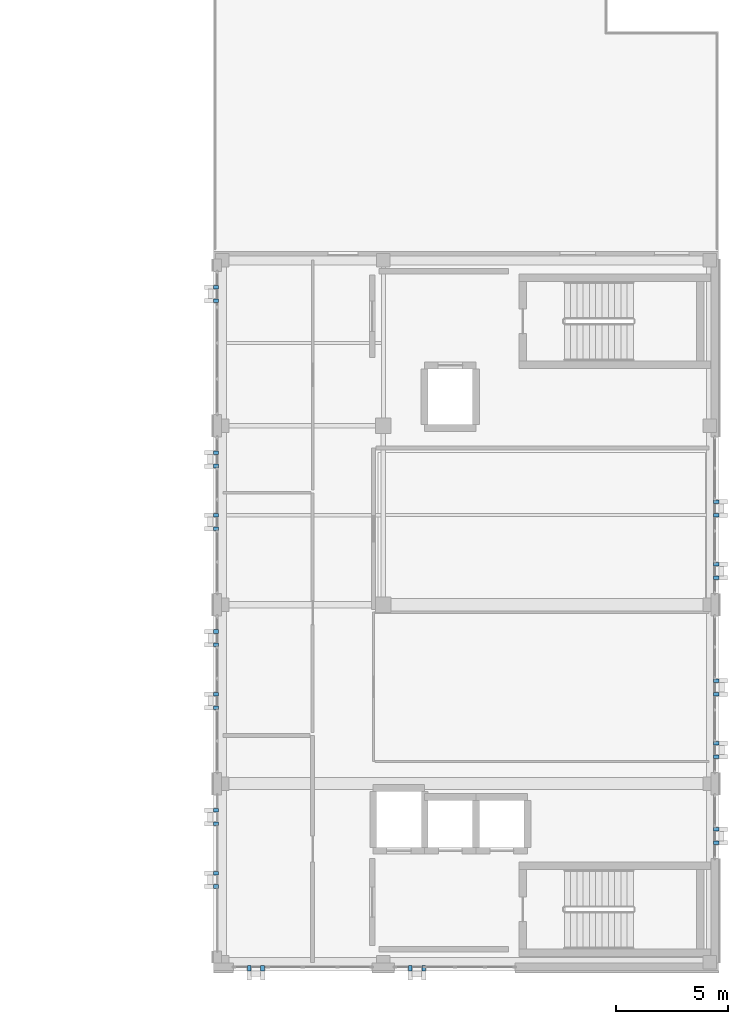
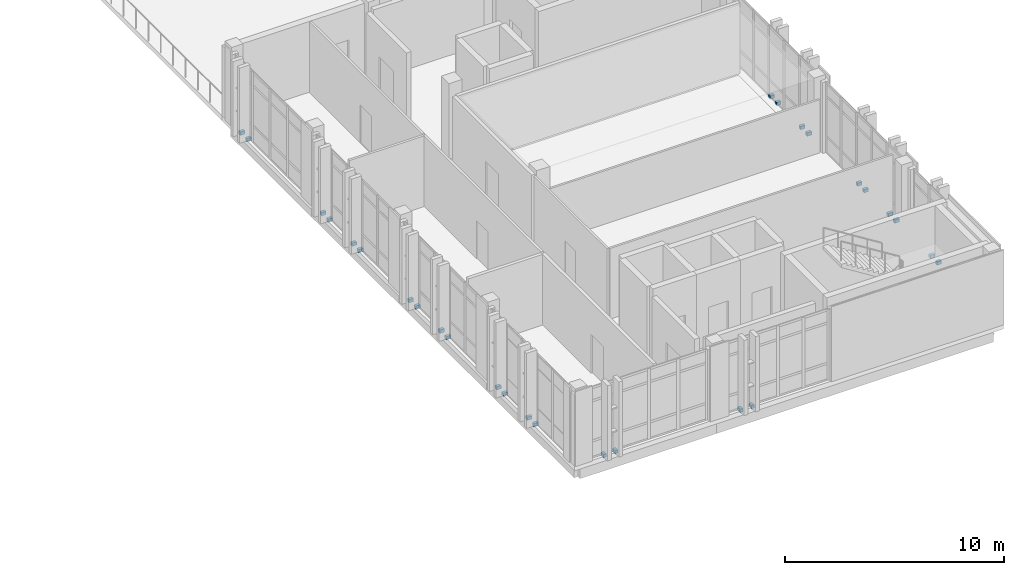
# One storey, part 41 of 48: 28 discrete accessories.
"""IFC4 building model written with IfcOpenShell, lengths in metres."""

from ifc_helpers import new_model, si_unit, direction, frame, origin, origin_2d, place, context, subcontext, project, spatial, rectangle, extrude, material, type_object, element, save


model = new_model("IFC4")

# Units and contexts
model_context = context("Model", 3, precision=1e-05, world=origin(), true_north=direction((0.0, 1.0)))
body_context = subcontext(model_context, "Body", "Model", "MODEL_VIEW")
ifc_project = project(units=[si_unit("LENGTHUNIT", "METRE"), si_unit("AREAUNIT", "SQUARE_METRE"), si_unit("VOLUMEUNIT", "CUBIC_METRE"), si_unit("PLANEANGLEUNIT", "RADIAN"), si_unit("MASSUNIT", "GRAM", prefix="KILO")], contexts=[model_context])

# Site, building, storey
site_placement = place(None, origin())
site = spatial("IfcSite", under=ifc_project, at=site_placement, CompositionType="ELEMENT")
building_placement = place(site_placement, origin())
building = spatial("IfcBuilding", under=site, at=building_placement, Name="Qalavern Law Courts", CompositionType="ELEMENT")
storey_placement = place(building_placement, frame((0.0, 0.0, 31.199951171875)))
storey = spatial("IfcBuildingStorey", under=building, at=storey_placement, Name="L07", CompositionType="ELEMENT", Elevation=31.199951171875)

# Discrete accessories
ifc_material = material(Name="Steel S355", Category="steel")
discrete_accessory_type = type_object("IfcDiscreteAccessoryType", Name="ENV-BRK-FIN", PredefinedType="BRACKET", material=ifc_material)
for number, where, z_axis, x_axis, name in (
    (1, (85.800048828125, 41.137451171875, -0.06982421875), (0.0, 0.0, 1.0), (0.0, -1.0, 0.0), "Stone blade anchor bracket 0805"),
    (2, (86.39990234375, 41.137451171875, -0.06982421875), (0.0, 0.0, 1.0), (0.0, -1.0, 0.0), "Stone blade anchor bracket 0806"),
    (3, (93.0, 41.137451171875, -0.06982421875), (0.0, 0.0, 1.0), (0.0, -1.0, 0.0), "Stone blade anchor bracket 0807"),
    (4, (93.60009765625, 41.137451171875, -0.06982421875), (0.0, 0.0, 1.0), (0.0, -1.0, 0.0), "Stone blade anchor bracket 0808"),
    (5, (106.6826171875, 46.75, -0.06982421875), (0.0, 0.0, 1.0), (1.0, 0.0, 0.0), "Stone blade anchor bracket 0809"),
    (6, (106.6826171875, 47.35009765625, -0.06982421875), (0.0, 0.0, 1.0), (1.0, 0.0, 0.0), "Stone blade anchor bracket 0810"),
    (7, (106.6826171875, 50.60009765625, -0.06982421875), (0.0, 0.0, 1.0), (1.0, 0.0, 0.0), "Stone blade anchor bracket 0811"),
    (8, (106.6826171875, 51.199951171875, -0.06982421875), (0.0, 0.0, 1.0), (1.0, 0.0, 0.0), "Stone blade anchor bracket 0812"),
    (9, (106.6826171875, 53.39990234375, -0.06982421875), (0.0, 0.0, 1.0), (1.0, 0.0, 0.0), "Stone blade anchor bracket 0813"),
    (10, (106.6826171875, 54.0, -0.06982421875), (0.0, 0.0, 1.0), (1.0, 0.0, 0.0), "Stone blade anchor bracket 0814"),
    (11, (106.6826171875, 58.60009765625, -0.06982421875), (0.0, 0.0, 1.0), (1.0, 0.0, 0.0), "Stone blade anchor bracket 0815"),
    (12, (106.6826171875, 59.199951171875, -0.06982421875), (0.0, 0.0, 1.0), (1.0, 0.0, 0.0), "Stone blade anchor bracket 0816"),
    (13, (106.6826171875, 61.39990234375, -0.06982421875), (0.0, 0.0, 1.0), (1.0, 0.0, 0.0), "Stone blade anchor bracket 0817"),
    (14, (106.6826171875, 62.0, -0.06982421875), (0.0, 0.0, 1.0), (1.0, 0.0, 0.0), "Stone blade anchor bracket 0818"),
    (15, (84.3173828125, 71.60009765625, -0.06982421875), (0.0, 0.0, 1.0), (-1.0, 0.0, 0.0), "Stone blade anchor bracket 0819"),
    (16, (84.3173828125, 71.0, -0.06982421875), (0.0, 0.0, 1.0), (-1.0, 0.0, 0.0), "Stone blade anchor bracket 0820"),
    (17, (84.3173828125, 64.199951171875, -0.06982421875), (0.0, 0.0, 1.0), (-1.0, 0.0, 0.0), "Stone blade anchor bracket 0821"),
    (18, (84.3173828125, 63.60009765625, -0.06982421875), (0.0, 0.0, 1.0), (-1.0, 0.0, 0.0), "Stone blade anchor bracket 0822"),
    (19, (84.3173828125, 61.39990234375, -0.06982421875), (0.0, 0.0, 1.0), (-1.0, 0.0, 0.0), "Stone blade anchor bracket 0823"),
    (20, (84.3173828125, 60.800048828125, -0.06982421875), (0.0, 0.0, 1.0), (-1.0, 0.0, 0.0), "Stone blade anchor bracket 0824"),
    (21, (84.3173828125, 56.199951171875, -0.06982421875), (0.0, 0.0, 1.0), (-1.0, 0.0, 0.0), "Stone blade anchor bracket 0825"),
    (22, (84.3173828125, 55.60009765625, -0.06982421875), (0.0, 0.0, 1.0), (-1.0, 0.0, 0.0), "Stone blade anchor bracket 0826"),
    (23, (84.3173828125, 53.39990234375, -0.06982421875), (0.0, 0.0, 1.0), (-1.0, 0.0, 0.0), "Stone blade anchor bracket 0827"),
    (24, (84.3173828125, 52.800048828125, -0.06982421875), (0.0, 0.0, 1.0), (-1.0, 0.0, 0.0), "Stone blade anchor bracket 0828"),
    (25, (84.3173828125, 48.199951171875, -0.06982421875), (0.0, 0.0, 1.0), (-1.0, 0.0, 0.0), "Stone blade anchor bracket 0829"),
    (26, (84.3173828125, 47.60009765625, -0.06982421875), (0.0, 0.0, 1.0), (-1.0, 0.0, 0.0), "Stone blade anchor bracket 0830"),
    (27, (84.3173828125, 45.39990234375, -0.06982421875), (0.0, 0.0, 1.0), (-1.0, 0.0, 0.0), "Stone blade anchor bracket 0831"),
    (28, (84.3173828125, 44.800048828125, -0.06982421875), (0.0, 0.0, 1.0), (-1.0, 0.0, 0.0), "Stone blade anchor bracket 0832"),
):
    element("IfcDiscreteAccessory", number, at=place(storey_placement, frame(where, z_axis=z_axis, x_axis=x_axis)), inside=storey, type_object=discrete_accessory_type, Name=name, PredefinedType="BRACKET", context=body_context, shape_type="SweptSolid", body=[
        extrude(rectangle(XDim=0.239990234375, YDim=0.159912109375, at=origin_2d()), origin(), (0.0, 0.0, 1.0), 0.179931640625),
    ])

save(model, "model.ifc")
